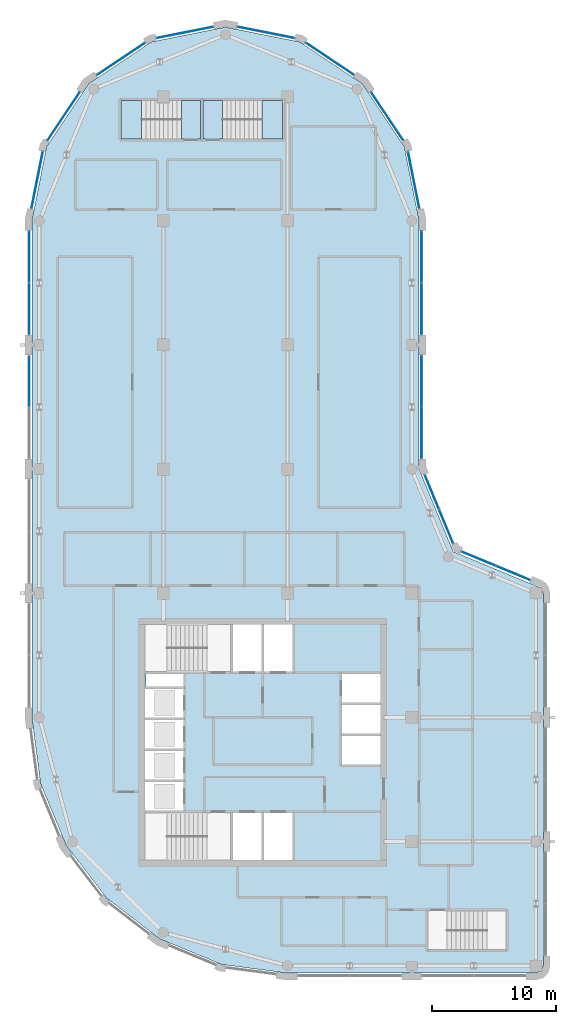
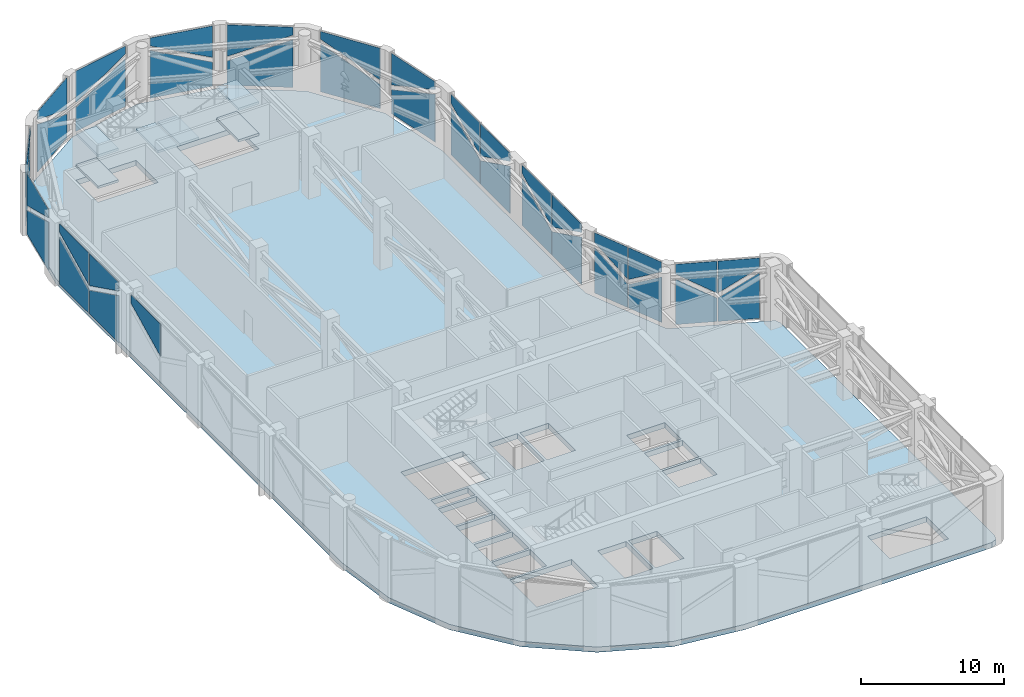
# One storey, part 12 of 18: 37 plates, 7 slabs, 29 elements without a shape of their own.
"""IFC4 building model written with IfcOpenShell, lengths in metres."""

from ifc_helpers import new_model, si_unit, direction, frame, origin, place, context, subcontext, project, spatial, polyline, outline, extrude, material, layer, layer_set, type_object, element, aggregate, save


model = new_model("IFC4")

# Units and contexts
model_context = context("Model", 3, precision=1e-05, world=origin(), true_north=direction((0.0, 1.0)))
body_context = subcontext(model_context, "Body", "Model", "MODEL_VIEW")
ifc_project = project(units=[si_unit("LENGTHUNIT", "METRE"), si_unit("AREAUNIT", "SQUARE_METRE"), si_unit("VOLUMEUNIT", "CUBIC_METRE"), si_unit("PLANEANGLEUNIT", "RADIAN"), si_unit("MASSUNIT", "GRAM", prefix="KILO")], contexts=[model_context])

# Site, building, storey
site_placement = place(None, origin())
site = spatial("IfcSite", under=ifc_project, at=site_placement, CompositionType="ELEMENT")
building_placement = place(site_placement, origin())
building = spatial("IfcBuilding", under=site, at=building_placement, Name="Qaws Garden Tower", CompositionType="ELEMENT")
storey_placement = place(building_placement, frame((0.0, 0.0, 352.800048828125)))
storey = spatial("IfcBuildingStorey", under=building, at=storey_placement, Name="L86", CompositionType="ELEMENT", Elevation=352.800048828125)

# Curtain wall, plate
ifc_material_1 = material(Name="Anodised aluminium curtain wall frame", Category="aluminium")
ifc_layer_1 = layer(ifc_material_1, 0.159912109375)
ifc_layer_set_1 = layer_set([ifc_layer_1], Name="Anodised aluminium curtain wall frame")
curtain_wall_type = type_object("IfcCurtainWallType", Name="CW6 plant floor louvre glazing curtain wall", PredefinedType="NOTDEFINED", material=ifc_layer_set_1)
placement_1 = place(storey_placement, origin())
curtain_wall_1 = element("IfcCurtainWall", 1, at=placement_1, inside=storey, type_object=curtain_wall_type, Name="CW6 Plant floor louvre glazing 05", PredefinedType="NOTDEFINED")
ifc_material_2 = material(Name="Clear laminated glass", Category="glass")
ifc_layer_2 = layer(ifc_material_2, 0.030029296875)
ifc_layer_set_2 = layer_set([ifc_layer_2], Name="Clear laminated glass")
plate_type = type_object("IfcPlateType", Name="CW6 glass panel 30", PredefinedType="CURTAIN_PANEL", material=ifc_layer_set_2)
placement_2 = place(storey_placement, frame((39.567138671875, 31.045166015625, 0.119873046875), z_axis=(0.0, 0.0, 1.0), x_axis=(-0.92388264791, 0.38267591104, 0.0)))
plate_1 = element("IfcPlate", 2, at=placement_2, type_object=plate_type, Name="CW6 panel 1.1 part 1", PredefinedType="CURTAIN_PANEL", context=body_context, shape_type="SweptSolid", body=[
    extrude(outline(polyline([(2.996826171875, 0.0), (2.996826171875, 2.001220703125), (0.06005859375, 3.895263671875), (0.06005859375, 0.0), (2.996826171875, 0.0)])), frame((0.0, 0.01513671875, 0.0), z_axis=(0.0, -1.0, 0.0), x_axis=(1.0, 0.0, 0.0)), (0.0, 0.0, 1.0), 0.030029296875),
])

curtain_wall_2 = element("IfcCurtainWall", 3, at=placement_1, inside=storey, type_object=curtain_wall_type, Name="CW6 Plant floor louvre glazing 05 upper field", PredefinedType="NOTDEFINED")
plate_2 = element("IfcPlate", 4, at=placement_2, type_object=plate_type, Name="CW6 panel 1.1 part 2", PredefinedType="CURTAIN_PANEL", context=body_context, shape_type="SweptSolid", body=[
    extrude(outline(polyline([(0.06005859375, 5.16015625), (0.06005859375, 4.32373046875), (2.996826171875, 2.4296875), (2.996826171875, 5.16015625), (0.06005859375, 5.16015625)])), frame((0.0, 0.01513671875, 0.0), z_axis=(0.0, -1.0, 0.0), x_axis=(1.0, 0.0, 0.0)), (0.0, 0.0, 1.0), 0.030029296875),
])

# Plate
plate_3 = element("IfcPlate", 5, at=placement_2, type_object=plate_type, Name="CW6 panel 2.1 part 1", PredefinedType="CURTAIN_PANEL", context=body_context, shape_type="SweptSolid", body=[
    extrude(outline(polyline([(5.99365234375, 0.0), (5.99365234375, 3.895263671875), (3.056884765625, 2.001220703125), (3.056884765625, 0.0), (5.99365234375, 0.0)])), frame((0.0, 0.01513671875, 0.0), z_axis=(0.0, -1.0, 0.0), x_axis=(1.0, 0.0, 0.0)), (0.0, 0.0, 1.0), 0.030029296875),
])

aggregate(curtain_wall_1, [plate_1, plate_3])

plate_4 = element("IfcPlate", 6, at=placement_2, type_object=plate_type, Name="CW6 panel 2.1 part 2", PredefinedType="CURTAIN_PANEL", context=body_context, shape_type="SweptSolid", body=[
    extrude(outline(polyline([(3.056884765625, 5.16015625), (3.056884765625, 2.4296875), (5.99365234375, 4.323486328125), (5.99365234375, 5.16015625), (3.056884765625, 5.16015625)])), frame((0.0, 0.01513671875, 0.0), z_axis=(0.0, -1.0, 0.0), x_axis=(1.0, 0.0, 0.0)), (0.0, 0.0, 1.0), 0.030029296875),
])

aggregate(curtain_wall_2, [plate_2, plate_4])

# Curtain wall, plate
curtain_wall_3 = element("IfcCurtainWall", 7, at=placement_1, inside=storey, type_object=curtain_wall_type, Name="CW6 Plant floor louvre glazing 06", PredefinedType="NOTDEFINED")
placement_3 = place(storey_placement, frame((33.36181640625, 33.97412109375, 0.119873046875), z_axis=(0.0, 0.0, 1.0), x_axis=(-0.38267591104, 0.92388264791, 0.0)))
plate_5 = element("IfcPlate", 8, at=placement_3, type_object=plate_type, Name="CW6 panel 1.1 part 1", PredefinedType="CURTAIN_PANEL", context=body_context, shape_type="SweptSolid", body=[
    extrude(outline(polyline([(2.996826171875, 0.0), (2.996826171875, 2.001220703125), (0.06005859375, 3.895263671875), (0.06005859375, 0.0), (2.996826171875, 0.0)])), frame((0.0, 0.01513671875, 0.0), z_axis=(0.0, -1.0, 0.0), x_axis=(1.0, 0.0, 0.0)), (0.0, 0.0, 1.0), 0.030029296875),
])

curtain_wall_4 = element("IfcCurtainWall", 9, at=placement_1, inside=storey, type_object=curtain_wall_type, Name="CW6 Plant floor louvre glazing 06 upper field", PredefinedType="NOTDEFINED")
plate_6 = element("IfcPlate", 10, at=placement_3, type_object=plate_type, Name="CW6 panel 1.1 part 2", PredefinedType="CURTAIN_PANEL", context=body_context, shape_type="SweptSolid", body=[
    extrude(outline(polyline([(0.06005859375, 5.16015625), (0.06005859375, 4.32373046875), (2.996826171875, 2.4296875), (2.996826171875, 5.16015625), (0.06005859375, 5.16015625)])), frame((0.0, 0.01513671875, 0.0), z_axis=(0.0, -1.0, 0.0), x_axis=(1.0, 0.0, 0.0)), (0.0, 0.0, 1.0), 0.030029296875),
])

# Plate
plate_7 = element("IfcPlate", 11, at=placement_3, type_object=plate_type, Name="CW6 panel 2.1 part 1", PredefinedType="CURTAIN_PANEL", context=body_context, shape_type="SweptSolid", body=[
    extrude(outline(polyline([(5.99365234375, 0.0), (5.99365234375, 3.895263671875), (3.056884765625, 2.001220703125), (3.056884765625, 0.0), (5.99365234375, 0.0)])), frame((0.0, 0.01513671875, 0.0), z_axis=(0.0, -1.0, 0.0), x_axis=(1.0, 0.0, 0.0)), (0.0, 0.0, 1.0), 0.030029296875),
])

aggregate(curtain_wall_3, [plate_5, plate_7])

plate_8 = element("IfcPlate", 12, at=placement_3, type_object=plate_type, Name="CW6 panel 2.1 part 2", PredefinedType="CURTAIN_PANEL", context=body_context, shape_type="SweptSolid", body=[
    extrude(outline(polyline([(3.056884765625, 5.16015625), (3.056884765625, 2.4296875), (5.99365234375, 4.323486328125), (5.99365234375, 5.16015625), (3.056884765625, 5.16015625)])), frame((0.0, 0.01513671875, 0.0), z_axis=(0.0, -1.0, 0.0), x_axis=(1.0, 0.0, 0.0)), (0.0, 0.0, 1.0), 0.030029296875),
])

aggregate(curtain_wall_4, [plate_6, plate_8])

# Curtain wall, plate
curtain_wall_5 = element("IfcCurtainWall", 13, at=placement_1, inside=storey, type_object=curtain_wall_type, Name="CW6 Plant floor louvre glazing 07", PredefinedType="NOTDEFINED")
placement_4 = place(storey_placement, frame((30.800048828125, 40.800048828125, 0.119873046875), z_axis=(0.0, 0.0, 1.0), x_axis=(0.0, 1.0, 0.0)))
plate_9 = element("IfcPlate", 14, at=placement_4, type_object=plate_type, Name="CW6 panel 1.1 part 1", PredefinedType="CURTAIN_PANEL", context=body_context, shape_type="SweptSolid", body=[
    extrude(outline(polyline([(4.169921875, 0.0), (4.169921875, 2.01025390625), (0.06005859375, 4.038818359375), (0.06005859375, 0.0), (4.169921875, 0.0)])), frame((0.0, 0.01513671875, 0.0), z_axis=(0.0, -1.0, 0.0), x_axis=(1.0, 0.0, 0.0)), (0.0, 0.0, 1.0), 0.030029296875),
])

curtain_wall_6 = element("IfcCurtainWall", 15, at=placement_1, inside=storey, type_object=curtain_wall_type, Name="CW6 Plant floor louvre glazing 07 upper field", PredefinedType="NOTDEFINED")
plate_10 = element("IfcPlate", 16, at=placement_4, type_object=plate_type, Name="CW6 panel 1.1 part 2", PredefinedType="CURTAIN_PANEL", context=body_context, shape_type="SweptSolid", body=[
    extrude(outline(polyline([(0.06005859375, 5.16015625), (0.06005859375, 4.440185546875), (4.169921875, 2.41162109375), (4.169921875, 5.16015625), (0.06005859375, 5.16015625)])), frame((0.0, 0.01513671875, 0.0), z_axis=(0.0, -1.0, 0.0), x_axis=(1.0, 0.0, 0.0)), (0.0, 0.0, 1.0), 0.030029296875),
])

# Plate
plate_11 = element("IfcPlate", 17, at=placement_4, type_object=plate_type, Name="CW6 panel 2.1 part 1", PredefinedType="CURTAIN_PANEL", context=body_context, shape_type="SweptSolid", body=[
    extrude(outline(polyline([(8.340087890625, 0.0), (8.340087890625, 4.038818359375), (4.22998046875, 2.01025390625), (4.22998046875, 0.0), (8.340087890625, 0.0)])), frame((0.0, 0.01513671875, 0.0), z_axis=(0.0, -1.0, 0.0), x_axis=(1.0, 0.0, 0.0)), (0.0, 0.0, 1.0), 0.030029296875),
])

aggregate(curtain_wall_5, [plate_9, plate_11])

plate_12 = element("IfcPlate", 18, at=placement_4, type_object=plate_type, Name="CW6 panel 2.1 part 2", PredefinedType="CURTAIN_PANEL", context=body_context, shape_type="SweptSolid", body=[
    extrude(outline(polyline([(4.22998046875, 5.16015625), (4.22998046875, 2.41162109375), (8.340087890625, 4.440185546875), (8.340087890625, 5.16015625), (4.22998046875, 5.16015625)])), frame((0.0, 0.01513671875, 0.0), z_axis=(0.0, -1.0, 0.0), x_axis=(1.0, 0.0, 0.0)), (0.0, 0.0, 1.0), 0.030029296875),
])

aggregate(curtain_wall_6, [plate_10, plate_12])

# Curtain wall, plate
curtain_wall_7 = element("IfcCurtainWall", 19, at=placement_1, inside=storey, type_object=curtain_wall_type, Name="CW6 Plant floor louvre glazing 08", PredefinedType="NOTDEFINED")
placement_5 = place(storey_placement, frame((30.800048828125, 50.800048828125, 0.119873046875), z_axis=(0.0, 0.0, 1.0), x_axis=(0.0, 1.0, 0.0)))
plate_13 = element("IfcPlate", 20, at=placement_5, type_object=plate_type, Name="CW6 panel 1.1 part 1", PredefinedType="CURTAIN_PANEL", context=body_context, shape_type="SweptSolid", body=[
    extrude(outline(polyline([(4.169921875, 0.0), (4.169921875, 2.01025390625), (0.06005859375, 4.038818359375), (0.06005859375, 0.0), (4.169921875, 0.0)])), frame((0.0, 0.01513671875, 0.0), z_axis=(0.0, -1.0, 0.0), x_axis=(1.0, 0.0, 0.0)), (0.0, 0.0, 1.0), 0.030029296875),
])

curtain_wall_8 = element("IfcCurtainWall", 21, at=placement_1, inside=storey, type_object=curtain_wall_type, Name="CW6 Plant floor louvre glazing 08 upper field", PredefinedType="NOTDEFINED")
plate_14 = element("IfcPlate", 22, at=placement_5, type_object=plate_type, Name="CW6 panel 1.1 part 2", PredefinedType="CURTAIN_PANEL", context=body_context, shape_type="SweptSolid", body=[
    extrude(outline(polyline([(0.06005859375, 5.16015625), (0.06005859375, 4.440185546875), (4.169921875, 2.41162109375), (4.169921875, 5.16015625), (0.06005859375, 5.16015625)])), frame((0.0, 0.01513671875, 0.0), z_axis=(0.0, -1.0, 0.0), x_axis=(1.0, 0.0, 0.0)), (0.0, 0.0, 1.0), 0.030029296875),
])

# Plate
plate_15 = element("IfcPlate", 23, at=placement_5, type_object=plate_type, Name="CW6 panel 2.1 part 1", PredefinedType="CURTAIN_PANEL", context=body_context, shape_type="SweptSolid", body=[
    extrude(outline(polyline([(8.340087890625, 0.0), (8.340087890625, 4.038818359375), (4.22998046875, 2.01025390625), (4.22998046875, 0.0), (8.340087890625, 0.0)])), frame((0.0, 0.01513671875, 0.0), z_axis=(0.0, -1.0, 0.0), x_axis=(1.0, 0.0, 0.0)), (0.0, 0.0, 1.0), 0.030029296875),
])

aggregate(curtain_wall_7, [plate_13, plate_15])

plate_16 = element("IfcPlate", 24, at=placement_5, type_object=plate_type, Name="CW6 panel 2.1 part 2", PredefinedType="CURTAIN_PANEL", context=body_context, shape_type="SweptSolid", body=[
    extrude(outline(polyline([(4.22998046875, 5.16015625), (4.22998046875, 2.41162109375), (8.340087890625, 4.440185546875), (8.340087890625, 5.16015625), (4.22998046875, 5.16015625)])), frame((0.0, 0.01513671875, 0.0), z_axis=(0.0, -1.0, 0.0), x_axis=(1.0, 0.0, 0.0)), (0.0, 0.0, 1.0), 0.030029296875),
])

aggregate(curtain_wall_8, [plate_14, plate_16])

# Curtain wall, plate
curtain_wall_9 = element("IfcCurtainWall", 25, at=placement_1, inside=storey, type_object=curtain_wall_type, Name="CW6 Plant floor louvre glazing 09", PredefinedType="NOTDEFINED")
placement_6 = place(storey_placement, frame((30.628662109375, 60.940673828125, 0.119873046875), z_axis=(0.0, 0.0, 1.0), x_axis=(-0.195098533057, 0.98078364709, 0.0)))
plate_17 = element("IfcPlate", 26, at=placement_6, type_object=plate_type, Name="CW6 panel 1.1 part 1", PredefinedType="CURTAIN_PANEL", context=body_context, shape_type="SweptSolid", body=[
    extrude(outline(polyline([(4.692626953125, 0.0), (4.692626953125, 2.0595703125), (0.06005859375, 4.090576171875), (0.06005859375, 0.0), (4.692626953125, 0.0)])), frame((0.0, 0.01513671875, 0.0), z_axis=(0.0, -1.0, 0.0), x_axis=(1.0, 0.0, 0.0)), (0.0, 0.0, 1.0), 0.030029296875),
])
aggregate(curtain_wall_9, [plate_17])

curtain_wall_10 = element("IfcCurtainWall", 27, at=placement_1, inside=storey, type_object=curtain_wall_type, Name="CW6 Plant floor louvre glazing 09 upper field", PredefinedType="NOTDEFINED")
plate_18 = element("IfcPlate", 28, at=placement_6, type_object=plate_type, Name="CW6 panel 1.1 part 2", PredefinedType="CURTAIN_PANEL", context=body_context, shape_type="SweptSolid", body=[
    extrude(outline(polyline([(0.06005859375, 5.16015625), (0.06005859375, 4.483642578125), (4.692626953125, 2.452880859375), (4.692626953125, 5.16015625), (0.06005859375, 5.16015625)])), frame((0.0, 0.01513671875, 0.0), z_axis=(0.0, -1.0, 0.0), x_axis=(1.0, 0.0, 0.0)), (0.0, 0.0, 1.0), 0.030029296875),
])
aggregate(curtain_wall_10, [plate_18])

curtain_wall_11 = element("IfcCurtainWall", 29, at=placement_1, inside=storey, type_object=curtain_wall_type, Name="CW6 Plant floor louvre glazing 10", PredefinedType="NOTDEFINED")
placement_7 = place(storey_placement, frame((29.356689453125, 66.43408203125, 0.119873046875), z_axis=(0.0, 0.0, 1.0), x_axis=(-0.555541552266, 0.831488775454, 0.0)))
plate_19 = element("IfcPlate", 30, at=placement_7, type_object=plate_type, Name="CW6 panel 1.1 part 1", PredefinedType="CURTAIN_PANEL", context=body_context, shape_type="SweptSolid", body=[
    extrude(outline(polyline([(4.692626953125, 0.0), (4.692626953125, 4.090576171875), (0.06005859375, 2.0595703125), (0.06005859375, 0.0), (4.692626953125, 0.0)])), frame((0.0, 0.01513671875, 0.0), z_axis=(0.0, -1.0, 0.0), x_axis=(1.0, 0.0, 0.0)), (0.0, 0.0, 1.0), 0.030029296875),
])
aggregate(curtain_wall_11, [plate_19])

curtain_wall_12 = element("IfcCurtainWall", 31, at=placement_1, inside=storey, type_object=curtain_wall_type, Name="CW6 Plant floor louvre glazing 10 upper field", PredefinedType="NOTDEFINED")
plate_20 = element("IfcPlate", 32, at=placement_7, type_object=plate_type, Name="CW6 panel 1.1 part 2", PredefinedType="CURTAIN_PANEL", context=body_context, shape_type="SweptSolid", body=[
    extrude(outline(polyline([(0.06005859375, 5.16015625), (0.06005859375, 2.452880859375), (4.692626953125, 4.483642578125), (4.692626953125, 5.16015625), (0.06005859375, 5.16015625)])), frame((0.0, 0.01513671875, 0.0), z_axis=(0.0, -1.0, 0.0), x_axis=(1.0, 0.0, 0.0)), (0.0, 0.0, 1.0), 0.030029296875),
])
aggregate(curtain_wall_12, [plate_20])

curtain_wall_13 = element("IfcCurtainWall", 33, at=placement_1, inside=storey, type_object=curtain_wall_type, Name="CW6 Plant floor louvre glazing 11", PredefinedType="NOTDEFINED")
placement_8 = place(storey_placement, frame((25.385986328125, 71.71630859375, 0.119873046875), z_axis=(0.0, 0.0, 1.0), x_axis=(-0.831488775454, 0.555541552266, 0.0)))
plate_21 = element("IfcPlate", 34, at=placement_8, type_object=plate_type, Name="CW6 panel 1.1 part 1", PredefinedType="CURTAIN_PANEL", context=body_context, shape_type="SweptSolid", body=[
    extrude(outline(polyline([(4.692626953125, 0.0), (4.692626953125, 2.0595703125), (0.06005859375, 4.090576171875), (0.06005859375, 0.0), (4.692626953125, 0.0)])), frame((0.0, 0.01513671875, 0.0), z_axis=(0.0, -1.0, 0.0), x_axis=(1.0, 0.0, 0.0)), (0.0, 0.0, 1.0), 0.030029296875),
])
aggregate(curtain_wall_13, [plate_21])

curtain_wall_14 = element("IfcCurtainWall", 35, at=placement_1, inside=storey, type_object=curtain_wall_type, Name="CW6 Plant floor louvre glazing 11 upper field", PredefinedType="NOTDEFINED")
plate_22 = element("IfcPlate", 36, at=placement_8, type_object=plate_type, Name="CW6 panel 1.1 part 2", PredefinedType="CURTAIN_PANEL", context=body_context, shape_type="SweptSolid", body=[
    extrude(outline(polyline([(0.06005859375, 5.16015625), (0.06005859375, 4.483642578125), (4.692626953125, 2.452880859375), (4.692626953125, 5.16015625), (0.06005859375, 5.16015625)])), frame((0.0, 0.01513671875, 0.0), z_axis=(0.0, -1.0, 0.0), x_axis=(1.0, 0.0, 0.0)), (0.0, 0.0, 1.0), 0.030029296875),
])
aggregate(curtain_wall_14, [plate_22])

curtain_wall_15 = element("IfcCurtainWall", 37, at=placement_1, inside=storey, type_object=curtain_wall_type, Name="CW6 Plant floor louvre glazing 12", PredefinedType="NOTDEFINED")
placement_9 = place(storey_placement, frame((20.60205078125, 74.701416015625, 0.119873046875), z_axis=(0.0, 0.0, 1.0), x_axis=(-0.98078364709, 0.195098533057, 0.0)))
plate_23 = element("IfcPlate", 38, at=placement_9, type_object=plate_type, Name="CW6 panel 1.1 part 1", PredefinedType="CURTAIN_PANEL", context=body_context, shape_type="SweptSolid", body=[
    extrude(outline(polyline([(4.692626953125, 0.0), (4.692626953125, 4.090576171875), (0.06005859375, 2.0595703125), (0.06005859375, 0.0), (4.692626953125, 0.0)])), frame((0.0, 0.01513671875, 0.0), z_axis=(0.0, -1.0, 0.0), x_axis=(1.0, 0.0, 0.0)), (0.0, 0.0, 1.0), 0.030029296875),
])
aggregate(curtain_wall_15, [plate_23])

curtain_wall_16 = element("IfcCurtainWall", 39, at=placement_1, inside=storey, type_object=curtain_wall_type, Name="CW6 Plant floor louvre glazing 12 upper field", PredefinedType="NOTDEFINED")
plate_24 = element("IfcPlate", 40, at=placement_9, type_object=plate_type, Name="CW6 panel 1.1 part 2", PredefinedType="CURTAIN_PANEL", context=body_context, shape_type="SweptSolid", body=[
    extrude(outline(polyline([(0.06005859375, 5.16015625), (0.06005859375, 2.452880859375), (4.692626953125, 4.483642578125), (4.692626953125, 5.16015625), (0.06005859375, 5.16015625)])), frame((0.0, 0.01513671875, 0.0), z_axis=(0.0, -1.0, 0.0), x_axis=(1.0, 0.0, 0.0)), (0.0, 0.0, 1.0), 0.030029296875),
])
aggregate(curtain_wall_16, [plate_24])

curtain_wall_17 = element("IfcCurtainWall", 41, at=placement_1, inside=storey, type_object=curtain_wall_type, Name="CW6 Plant floor louvre glazing 13", PredefinedType="NOTDEFINED")
placement_10 = place(storey_placement, frame((14.059326171875, 75.628662109375, 0.119873046875), z_axis=(0.0, 0.0, 1.0), x_axis=(-0.98078364709, -0.195098533057, 0.0)))
plate_25 = element("IfcPlate", 42, at=placement_10, type_object=plate_type, Name="CW6 panel 1.1 part 1", PredefinedType="CURTAIN_PANEL", context=body_context, shape_type="SweptSolid", body=[
    extrude(outline(polyline([(4.692626953125, 0.0), (4.692626953125, 2.0595703125), (0.06005859375, 4.090576171875), (0.06005859375, 0.0), (4.692626953125, 0.0)])), frame((0.0, 0.01513671875, 0.0), z_axis=(0.0, -1.0, 0.0), x_axis=(1.0, 0.0, 0.0)), (0.0, 0.0, 1.0), 0.030029296875),
])
aggregate(curtain_wall_17, [plate_25])

curtain_wall_18 = element("IfcCurtainWall", 43, at=placement_1, inside=storey, type_object=curtain_wall_type, Name="CW6 Plant floor louvre glazing 13 upper field", PredefinedType="NOTDEFINED")
plate_26 = element("IfcPlate", 44, at=placement_10, type_object=plate_type, Name="CW6 panel 1.1 part 2", PredefinedType="CURTAIN_PANEL", context=body_context, shape_type="SweptSolid", body=[
    extrude(outline(polyline([(0.06005859375, 5.16015625), (0.06005859375, 4.483642578125), (4.692626953125, 2.452880859375), (4.692626953125, 5.16015625), (0.06005859375, 5.16015625)])), frame((0.0, 0.01513671875, 0.0), z_axis=(0.0, -1.0, 0.0), x_axis=(1.0, 0.0, 0.0)), (0.0, 0.0, 1.0), 0.030029296875),
])
aggregate(curtain_wall_18, [plate_26])

curtain_wall_19 = element("IfcCurtainWall", 45, at=placement_1, inside=storey, type_object=curtain_wall_type, Name="CW6 Plant floor louvre glazing 14", PredefinedType="NOTDEFINED")
placement_11 = place(storey_placement, frame((8.56591796875, 74.356689453125, 0.119873046875), z_axis=(0.0, 0.0, 1.0), x_axis=(-0.831488775454, -0.555541552266, 0.0)))
plate_27 = element("IfcPlate", 46, at=placement_11, type_object=plate_type, Name="CW6 panel 1.1 part 1", PredefinedType="CURTAIN_PANEL", context=body_context, shape_type="SweptSolid", body=[
    extrude(outline(polyline([(4.692626953125, 0.0), (4.692626953125, 4.090576171875), (0.06005859375, 2.0595703125), (0.06005859375, 0.0), (4.692626953125, 0.0)])), frame((0.0, 0.01513671875, 0.0), z_axis=(0.0, -1.0, 0.0), x_axis=(1.0, 0.0, 0.0)), (0.0, 0.0, 1.0), 0.030029296875),
])
aggregate(curtain_wall_19, [plate_27])

curtain_wall_20 = element("IfcCurtainWall", 47, at=placement_1, inside=storey, type_object=curtain_wall_type, Name="CW6 Plant floor louvre glazing 14 upper field", PredefinedType="NOTDEFINED")
plate_28 = element("IfcPlate", 48, at=placement_11, type_object=plate_type, Name="CW6 panel 1.1 part 2", PredefinedType="CURTAIN_PANEL", context=body_context, shape_type="SweptSolid", body=[
    extrude(outline(polyline([(0.06005859375, 5.16015625), (0.06005859375, 2.452880859375), (4.692626953125, 4.483642578125), (4.692626953125, 5.16015625), (0.06005859375, 5.16015625)])), frame((0.0, 0.01513671875, 0.0), z_axis=(0.0, -1.0, 0.0), x_axis=(1.0, 0.0, 0.0)), (0.0, 0.0, 1.0), 0.030029296875),
])
aggregate(curtain_wall_20, [plate_28])

curtain_wall_21 = element("IfcCurtainWall", 49, at=placement_1, inside=storey, type_object=curtain_wall_type, Name="CW6 Plant floor louvre glazing 15", PredefinedType="NOTDEFINED")
placement_12 = place(storey_placement, frame((3.28369140625, 70.385986328125, 0.119873046875), z_axis=(0.0, 0.0, 1.0), x_axis=(-0.555541552266, -0.831488775454, 0.0)))
plate_29 = element("IfcPlate", 50, at=placement_12, type_object=plate_type, Name="CW6 panel 1.1 part 1", PredefinedType="CURTAIN_PANEL", context=body_context, shape_type="SweptSolid", body=[
    extrude(outline(polyline([(4.692626953125, 0.0), (4.692626953125, 2.0595703125), (0.06005859375, 4.090576171875), (0.06005859375, 0.0), (4.692626953125, 0.0)])), frame((0.0, 0.01513671875, 0.0), z_axis=(0.0, -1.0, 0.0), x_axis=(1.0, 0.0, 0.0)), (0.0, 0.0, 1.0), 0.030029296875),
])
aggregate(curtain_wall_21, [plate_29])

curtain_wall_22 = element("IfcCurtainWall", 51, at=placement_1, inside=storey, type_object=curtain_wall_type, Name="CW6 Plant floor louvre glazing 15 upper field", PredefinedType="NOTDEFINED")
plate_30 = element("IfcPlate", 52, at=placement_12, type_object=plate_type, Name="CW6 panel 1.1 part 2", PredefinedType="CURTAIN_PANEL", context=body_context, shape_type="SweptSolid", body=[
    extrude(outline(polyline([(0.06005859375, 5.16015625), (0.06005859375, 4.483642578125), (4.692626953125, 2.452880859375), (4.692626953125, 5.16015625), (0.06005859375, 5.16015625)])), frame((0.0, 0.01513671875, 0.0), z_axis=(0.0, -1.0, 0.0), x_axis=(1.0, 0.0, 0.0)), (0.0, 0.0, 1.0), 0.030029296875),
])
aggregate(curtain_wall_22, [plate_30])

curtain_wall_23 = element("IfcCurtainWall", 53, at=placement_1, inside=storey, type_object=curtain_wall_type, Name="CW6 Plant floor louvre glazing 16", PredefinedType="NOTDEFINED")
placement_13 = place(storey_placement, frame((0.298583984375, 65.60205078125, 0.119873046875), z_axis=(0.0, 0.0, 1.0), x_axis=(-0.195098533057, -0.98078364709, 0.0)))
plate_31 = element("IfcPlate", 54, at=placement_13, type_object=plate_type, Name="CW6 panel 1.1 part 1", PredefinedType="CURTAIN_PANEL", context=body_context, shape_type="SweptSolid", body=[
    extrude(outline(polyline([(4.692626953125, 0.0), (4.692626953125, 4.090576171875), (0.06005859375, 2.0595703125), (0.06005859375, 0.0), (4.692626953125, 0.0)])), frame((0.0, 0.01513671875, 0.0), z_axis=(0.0, -1.0, 0.0), x_axis=(1.0, 0.0, 0.0)), (0.0, 0.0, 1.0), 0.030029296875),
])
aggregate(curtain_wall_23, [plate_31])

curtain_wall_24 = element("IfcCurtainWall", 55, at=placement_1, inside=storey, type_object=curtain_wall_type, Name="CW6 Plant floor louvre glazing 16 upper field", PredefinedType="NOTDEFINED")
plate_32 = element("IfcPlate", 56, at=placement_13, type_object=plate_type, Name="CW6 panel 1.1 part 2", PredefinedType="CURTAIN_PANEL", context=body_context, shape_type="SweptSolid", body=[
    extrude(outline(polyline([(0.06005859375, 5.16015625), (0.06005859375, 2.452880859375), (4.692626953125, 4.483642578125), (4.692626953125, 5.16015625), (0.06005859375, 5.16015625)])), frame((0.0, 0.01513671875, 0.0), z_axis=(0.0, -1.0, 0.0), x_axis=(1.0, 0.0, 0.0)), (0.0, 0.0, 1.0), 0.030029296875),
])
aggregate(curtain_wall_24, [plate_32])

curtain_wall_25 = element("IfcCurtainWall", 57, at=placement_1, inside=storey, type_object=curtain_wall_type, Name="CW6 Plant floor louvre glazing 17", PredefinedType="NOTDEFINED")
placement_14 = place(storey_placement, frame((-0.800048828125, 59.199951171875, 0.119873046875), z_axis=(0.0, 0.0, 1.0), x_axis=(0.0, -1.0, 0.0)))
plate_33 = element("IfcPlate", 58, at=placement_14, type_object=plate_type, Name="CW6 panel 1.1 part 1", PredefinedType="CURTAIN_PANEL", context=body_context, shape_type="SweptSolid", body=[
    extrude(outline(polyline([(4.169921875, 0.0), (4.169921875, 2.01025390625), (0.06005859375, 4.038818359375), (0.06005859375, 0.0), (4.169921875, 0.0)])), frame((0.0, 0.01513671875, 0.0), z_axis=(0.0, -1.0, 0.0), x_axis=(1.0, 0.0, 0.0)), (0.0, 0.0, 1.0), 0.030029296875),
])

curtain_wall_26 = element("IfcCurtainWall", 59, at=placement_1, inside=storey, type_object=curtain_wall_type, Name="CW6 Plant floor louvre glazing 17 upper field", PredefinedType="NOTDEFINED")
plate_34 = element("IfcPlate", 60, at=placement_14, type_object=plate_type, Name="CW6 panel 1.1 part 2", PredefinedType="CURTAIN_PANEL", context=body_context, shape_type="SweptSolid", body=[
    extrude(outline(polyline([(0.06005859375, 5.16015625), (0.06005859375, 4.440185546875), (4.169921875, 2.41162109375), (4.169921875, 5.16015625), (0.06005859375, 5.16015625)])), frame((0.0, 0.01513671875, 0.0), z_axis=(0.0, -1.0, 0.0), x_axis=(1.0, 0.0, 0.0)), (0.0, 0.0, 1.0), 0.030029296875),
])

# Plate
plate_35 = element("IfcPlate", 61, at=placement_14, type_object=plate_type, Name="CW6 panel 2.1 part 1", PredefinedType="CURTAIN_PANEL", context=body_context, shape_type="SweptSolid", body=[
    extrude(outline(polyline([(8.340087890625, 0.0), (8.340087890625, 4.038818359375), (4.22998046875, 2.01025390625), (4.22998046875, 0.0), (8.340087890625, 0.0)])), frame((0.0, 0.01513671875, 0.0), z_axis=(0.0, -1.0, 0.0), x_axis=(1.0, 0.0, 0.0)), (0.0, 0.0, 1.0), 0.030029296875),
])

aggregate(curtain_wall_25, [plate_33, plate_35])

plate_36 = element("IfcPlate", 62, at=placement_14, type_object=plate_type, Name="CW6 panel 2.1 part 2", PredefinedType="CURTAIN_PANEL", context=body_context, shape_type="SweptSolid", body=[
    extrude(outline(polyline([(4.22998046875, 5.16015625), (4.22998046875, 2.41162109375), (8.340087890625, 4.440185546875), (8.340087890625, 5.16015625), (4.22998046875, 5.16015625)])), frame((0.0, 0.01513671875, 0.0), z_axis=(0.0, -1.0, 0.0), x_axis=(1.0, 0.0, 0.0)), (0.0, 0.0, 1.0), 0.030029296875),
])

aggregate(curtain_wall_26, [plate_34, plate_36])

# Curtain wall, plate
curtain_wall_27 = element("IfcCurtainWall", 63, at=placement_1, inside=storey, type_object=curtain_wall_type, Name="CW6 Plant floor louvre glazing 18 upper field", PredefinedType="NOTDEFINED")
plate_37_placement = place(storey_placement, frame((-0.800048828125, 49.199951171875, 0.119873046875), z_axis=(0.0, 0.0, 1.0), x_axis=(0.0, -1.0, 0.0)))
plate_37 = element("IfcPlate", 64, at=plate_37_placement, type_object=plate_type, Name="CW6 panel 1.1 part 2", PredefinedType="CURTAIN_PANEL", context=body_context, shape_type="SweptSolid", body=[
    extrude(outline(polyline([(0.06005859375, 5.16015625), (0.06005859375, 4.440185546875), (4.169921875, 2.41162109375), (4.169921875, 5.16015625), (0.06005859375, 5.16015625)])), frame((0.0, 0.01513671875, 0.0), z_axis=(0.0, -1.0, 0.0), x_axis=(1.0, 0.0, 0.0)), (0.0, 0.0, 1.0), 0.030029296875),
])
aggregate(curtain_wall_27, [plate_37])

# Slab
ifc_material_3 = material(Name="Concrete C45", Category="concrete")
ifc_layer_3 = layer(ifc_material_3, 0.449951171875)
ifc_layer_set_3 = layer_set([ifc_layer_3], Name="Concrete C45")
slab_type_1 = type_object("IfcSlabType", Name="Floor slab 450 C45", PredefinedType="FLOOR", material=ifc_layer_set_3)
slab_1_placement = place(storey_placement, frame((0.0, 0.0, -0.449951171875)))
element("IfcSlab", 65, at=slab_1_placement, inside=storey, type_object=slab_type_1, Name="Floor slab L86", PredefinedType="FLOOR", context=body_context, shape_type="SweptSolid", body=[
    extrude(outline(polyline([(0.101806640625, 14.668212890625), (-0.60009765625, 20.0), (-0.60009765625, 30.60009765625), (-0.60009765625, 60.0), (-0.60009765625, 60.0), (0.58740234375, 65.969970703125), (3.968994140625, 71.031005859375), (9.030029296875, 74.41259765625), (15.0, 75.60009765625), (20.969970703125, 74.41259765625), (26.031005859375, 71.031005859375), (29.41259765625, 65.969970703125), (30.60009765625, 60.0), (30.60009765625, 40.0), (33.353271484375, 33.353271484375), (40.0, 30.60009765625), (40.42431640625, 30.42431640625), (40.60009765625, 30.0), (40.60009765625, 0.0), (40.42431640625, -0.42431640625), (40.0, -0.60009765625), (30.60009765625, -0.60009765625), (20.0, -0.60009765625), (14.668212890625, 0.101806640625), (9.699951171875, 2.159912109375), (5.43359375, 5.43359375), (2.159912109375, 9.699951171875), (0.101806640625, 14.668212890625)]), holes=[polyline([(13.49951171875, 12.300048828125), (8.5, 12.300048828125), (8.5, 8.5), (13.49951171875, 8.5), (13.49951171875, 12.300048828125)]), polyline([(17.89990234375, 12.300048828125), (15.60009765625, 12.300048828125), (15.60009765625, 8.5), (17.89990234375, 8.5), (17.89990234375, 12.300048828125)]), polyline([(11.60009765625, 14.800048828125), (8.5, 14.800048828125), (8.5, 12.5), (11.60009765625, 12.5), (11.60009765625, 14.800048828125)]), polyline([(11.60009765625, 17.300048828125), (8.5, 17.300048828125), (8.5, 15.0), (11.60009765625, 15.0), (11.60009765625, 17.300048828125)]), polyline([(11.60009765625, 19.800048828125), (8.5, 19.800048828125), (8.5, 17.5), (11.60009765625, 17.5), (11.60009765625, 19.800048828125)]), polyline([(11.60009765625, 22.300048828125), (8.5, 22.300048828125), (8.5, 20.0), (11.60009765625, 20.0), (11.60009765625, 22.300048828125)]), polyline([(11.60009765625, 23.5), (8.60009765625, 23.5), (8.60009765625, 22.5), (11.60009765625, 22.5), (11.60009765625, 23.5)]), polyline([(13.49951171875, 27.5), (8.5, 27.5), (8.5, 23.699951171875), (13.49951171875, 23.699951171875), (13.49951171875, 27.5)]), polyline([(11.449462890625, 69.699951171875), (6.60009765625, 69.699951171875), (6.60009765625, 66.60009765625), (11.449462890625, 66.60009765625), (11.449462890625, 69.699951171875)]), polyline([(37.60009765625, 4.39990234375), (32.8505859375, 4.39990234375), (32.8505859375, 1.300048828125), (37.60009765625, 1.300048828125), (37.60009765625, 4.39990234375)]), polyline([(20.39990234375, 12.300048828125), (18.10009765625, 12.300048828125), (18.10009765625, 8.5), (20.39990234375, 8.5), (20.39990234375, 12.300048828125)]), polyline([(27.5, 18.5), (24.39990234375, 18.5), (24.39990234375, 16.199951171875), (27.5, 16.199951171875), (27.5, 18.5)]), polyline([(27.5, 21.0), (24.39990234375, 21.0), (24.39990234375, 18.699951171875), (27.5, 18.699951171875), (27.5, 21.0)]), polyline([(27.5, 23.5), (24.39990234375, 23.5), (24.39990234375, 21.199951171875), (27.5, 21.199951171875), (27.5, 23.5)]), polyline([(17.89990234375, 27.5), (15.60009765625, 27.5), (15.60009765625, 23.699951171875), (17.89990234375, 23.699951171875), (17.89990234375, 27.5)]), polyline([(20.39990234375, 23.699951171875), (20.39990234375, 27.5), (18.10009765625, 27.5), (18.10009765625, 23.699951171875), (20.39990234375, 23.699951171875)]), polyline([(19.60009765625, 66.60009765625), (19.60009765625, 69.699951171875), (14.75048828125, 69.699951171875), (14.75048828125, 66.60009765625), (19.60009765625, 66.60009765625)])]), origin(), (0.0, 0.0, 1.0), 0.449951171875),
])

# Stair, slabs
ifc_material_4 = material(Name="Concrete C40", Category="concrete")
stair_type = type_object("IfcStairType", Name="Exit stair 1350", PredefinedType="HALF_TURN_STAIR", material=ifc_material_4)
stair_1 = element("IfcStair", 66, at=placement_1, inside=storey, type_object=stair_type, Name="Stair 6", PredefinedType="HALF_TURN_STAIR")
ifc_material_5 = material(Name="Concrete C40", Category="concrete")
ifc_layer_4 = layer(ifc_material_5, 0.199951171875)
ifc_layer_set_4 = layer_set([ifc_layer_4], Name="Concrete C40")
slab_type_2 = type_object("IfcSlabType", Name="Stair landing 200", PredefinedType="LANDING", material=ifc_layer_set_4)
placement_15 = place(storey_placement, frame((0.0, 0.0, 1.14990234375)))
slab_2 = element("IfcSlab", 67, at=placement_15, type_object=slab_type_2, Name="ST6 landing 1", PredefinedType="LANDING", context=body_context, shape_type="SweptSolid", body=[
    extrude(outline(polyline([(6.60009765625, 66.60009765625), (8.24609375, 66.60009765625), (8.24609375, 69.699951171875), (6.60009765625, 69.699951171875), (6.60009765625, 66.60009765625)])), origin(), (0.0, 0.0, 1.0), 0.199951171875),
])
placement_16 = place(storey_placement, frame((0.0, 0.0, 2.5)))
slab_3 = element("IfcSlab", 68, at=placement_16, type_object=slab_type_2, Name="ST6 landing 2", PredefinedType="LANDING", context=body_context, shape_type="SweptSolid", body=[
    extrude(outline(polyline([(11.449951171875, 66.60009765625), (13.0, 66.60009765625), (13.0, 69.699951171875), (11.449951171875, 69.699951171875), (11.449951171875, 66.60009765625)])), origin(), (0.0, 0.0, 1.0), 0.199951171875),
])
placement_17 = place(storey_placement, frame((0.0, 0.0, 3.849853515625)))
slab_4 = element("IfcSlab", 69, at=placement_17, type_object=slab_type_2, Name="ST6 landing 3", PredefinedType="LANDING", context=body_context, shape_type="SweptSolid", body=[
    extrude(outline(polyline([(6.60009765625, 66.60009765625), (8.24609375, 66.60009765625), (8.24609375, 69.699951171875), (6.60009765625, 69.699951171875), (6.60009765625, 66.60009765625)])), origin(), (0.0, 0.0, 1.0), 0.2001953125),
])
aggregate(stair_1, [slab_2, slab_3, slab_4])

stair_2 = element("IfcStair", 70, at=placement_1, inside=storey, type_object=stair_type, Name="Stair 7", PredefinedType="HALF_TURN_STAIR")
slab_5 = element("IfcSlab", 71, at=placement_15, type_object=slab_type_2, Name="ST7 landing 1", PredefinedType="LANDING", context=body_context, shape_type="SweptSolid", body=[
    extrude(outline(polyline([(17.9541015625, 66.60009765625), (19.60009765625, 66.60009765625), (19.60009765625, 69.699951171875), (17.9541015625, 69.699951171875), (17.9541015625, 66.60009765625)])), origin(), (0.0, 0.0, 1.0), 0.199951171875),
])
slab_6 = element("IfcSlab", 72, at=placement_16, type_object=slab_type_2, Name="ST7 landing 2", PredefinedType="LANDING", context=body_context, shape_type="SweptSolid", body=[
    extrude(outline(polyline([(13.199951171875, 66.60009765625), (14.75, 66.60009765625), (14.75, 69.699951171875), (13.199951171875, 69.699951171875), (13.199951171875, 66.60009765625)])), origin(), (0.0, 0.0, 1.0), 0.199951171875),
])
slab_7 = element("IfcSlab", 73, at=placement_17, type_object=slab_type_2, Name="ST7 landing 3", PredefinedType="LANDING", context=body_context, shape_type="SweptSolid", body=[
    extrude(outline(polyline([(17.9541015625, 66.60009765625), (19.60009765625, 66.60009765625), (19.60009765625, 69.699951171875), (17.9541015625, 69.699951171875), (17.9541015625, 66.60009765625)])), origin(), (0.0, 0.0, 1.0), 0.2001953125),
])
aggregate(stair_2, [slab_5, slab_6, slab_7])

save(model, "model.ifc")
